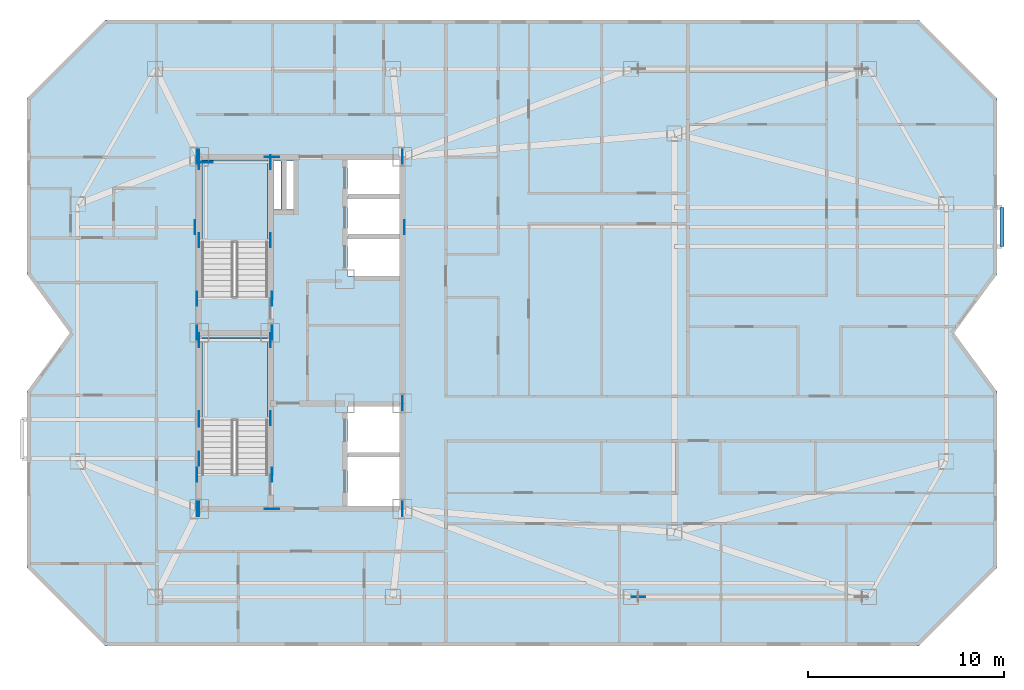
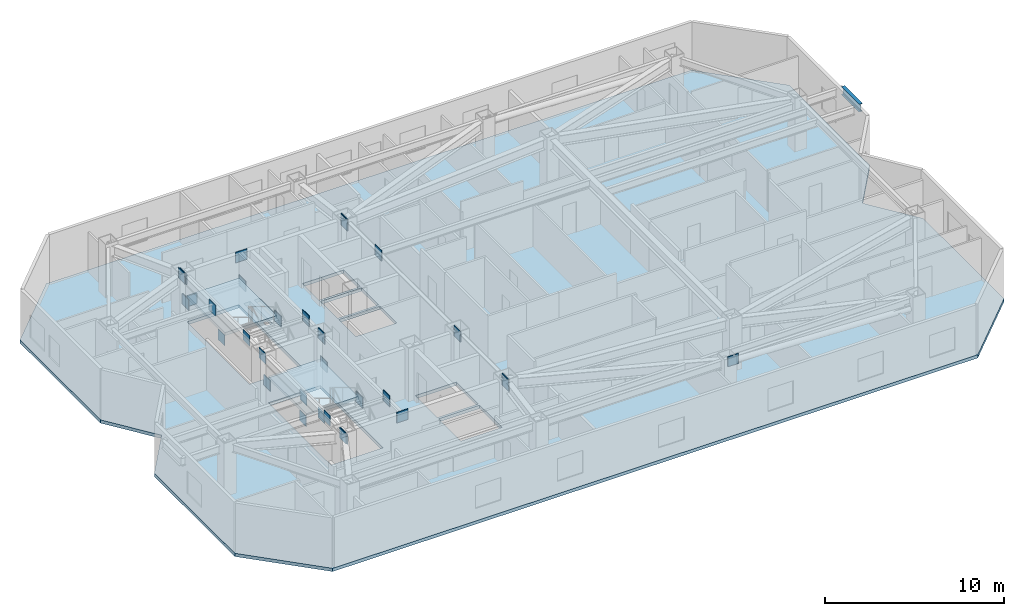
# One storey, part 2 of 10: 31 plates, 3 slabs, 1 beam, 2 elements without a shape of their own.
"""IFC4 building model written with IfcOpenShell, lengths in metres."""

import ifcopenshell
import ifcopenshell.guid

model = None  # the IFC model being written
_history = None  # IfcOwnerHistory: only IFC2X3 demands one
_inside = {}  # id of a spatial element -> (the spatial element, [elements in it])
_under = {}  # id of a project, library or spatial element -> (it, [spatial elements below it])
_declared = {}  # id of a project -> (the project, [libraries it declares])
_typed = {}  # id of a type object -> (the type object, [elements of that type])
_made_of = {}  # id of a material, layer set ... -> (it, [elements and type objects made of it])


def new_model(schema):
    """Start an empty IFC model of exactly this schema.

    Asked for "IFC4X3", IfcOpenShell would pick the latest addendum, in which some entities
    have other attributes; the version numbers below select the first issue.
    IFC2X3 requires an IfcOwnerHistory on every rooted entity: one is made here for all.
    """
    global model, _history
    if schema == "IFC4X3":
        model = ifcopenshell.file(schema_version=(4, 3, 0, 0))
    else:
        model = ifcopenshell.file(schema=schema)
    _inside.clear()
    _under.clear()
    _declared.clear()
    _typed.clear()
    _made_of.clear()
    _history = None
    if model.schema == "IFC2X3":
        org = make("IfcOrganization", Name="unknown")
        user = make(
            "IfcPersonAndOrganization",
            ThePerson=make("IfcPerson", FamilyName="unknown"),
            TheOrganization=org,
        )
        app = make(
            "IfcApplication",
            ApplicationDeveloper=org,
            Version="unknown",
            ApplicationFullName="unknown",
            ApplicationIdentifier="unknown",
        )
        _history = make(
            "IfcOwnerHistory",
            OwningUser=user,
            OwningApplication=app,
            ChangeAction="ADDED",
            CreationDate=0,
        )
    return model


def make(cls, **values):
    """One entity of the class cls with the attributes given. An attribute that is None is left unset."""
    return model.create_entity(
        cls, **{name: value for name, value in values.items() if value is not None}
    )


def rooted(cls, **values):
    """An entity with a GlobalId (a new one), such as an element, a storey or a relation."""
    return make(cls, GlobalId=ifcopenshell.guid.new(), OwnerHistory=_history, **values)


def si_unit(unit_type, name, prefix=None):
    """IfcSIUnit, for example si_unit("LENGTHUNIT", "METRE", prefix="MILLI")."""
    return make("IfcSIUnit", UnitType=unit_type, Prefix=prefix, Name=name)


def assignment(units):
    """IfcUnitAssignment: the units of a project."""
    return None if units is None else make("IfcUnitAssignment", Units=units)


def point(xyz):
    """IfcCartesianPoint."""
    return None if xyz is None else make("IfcCartesianPoint", Coordinates=xyz)


def direction(xyz):
    """IfcDirection."""
    return None if xyz is None else make("IfcDirection", DirectionRatios=xyz)


def frame(location, z_axis=None, x_axis=None):
    """IfcAxis2Placement3D, a coordinate frame: its origin and axes. An axis left out is left unset."""
    return make(
        "IfcAxis2Placement3D",
        Location=point(location),
        Axis=direction(z_axis),
        RefDirection=direction(x_axis),
    )


def frame_2d(location, x_axis=None):
    """IfcAxis2Placement2D, a coordinate frame in the plane: its origin and x axis."""
    return make(
        "IfcAxis2Placement2D", Location=point(location), RefDirection=direction(x_axis)
    )


def origin():
    """The frame at (0, 0, 0) with its axes left unset."""
    return frame((0.0, 0.0, 0.0))


def origin_2d():
    """The frame at (0, 0) in the plane with its x axis left unset."""
    return frame_2d((0.0, 0.0))


def place(relative_to, where):
    """IfcLocalPlacement: puts the frame where relative to a parent placement (None: the world)."""
    return make(
        "IfcLocalPlacement", PlacementRelTo=relative_to, RelativePlacement=where
    )


def context(
    kind, dimensions, precision=None, world=None, true_north=None, identifier=None
):
    """IfcGeometricRepresentationContext, for example the 3D "Model" context."""
    return make(
        "IfcGeometricRepresentationContext",
        ContextIdentifier=identifier,
        ContextType=kind,
        CoordinateSpaceDimension=dimensions,
        Precision=precision,
        WorldCoordinateSystem=world,
        TrueNorth=true_north,
    )


def subcontext(parent, identifier, kind, view, scale=None):
    """IfcGeometricRepresentationSubContext, for example "Body" below "Model"."""
    return make(
        "IfcGeometricRepresentationSubContext",
        ContextIdentifier=identifier,
        ContextType=kind,
        ParentContext=parent,
        TargetScale=scale,
        TargetView=view,
    )


def project(units=None, contexts=None):
    """IfcProject with its units and contexts."""
    return rooted(
        "IfcProject",
        Name="project",
        RepresentationContexts=contexts,
        UnitsInContext=assignment(units),
    )


def spatial(cls, under=None, at=None, **own):
    """A site, building, storey or space (cls), placed at a placement, below another one or the project."""
    s = rooted(cls, ObjectPlacement=at, **own)
    if under is not None:
        _under.setdefault(under.id(), (under, []))[1].append(s)
    return s


def polyline(points):
    """IfcPolyline through the points."""
    return make("IfcPolyline", Points=[point(p) for p in points])


def profile(cls, at=None, kind="AREA", **sizes):
    """A parametric profile (cls). Its sizes go by their IFC names, for example OverallWidth=200.0."""
    return make(cls, ProfileType=kind, Position=at, **sizes)


def rectangle(**sizes):
    """IfcRectangleProfileDef."""
    return profile("IfcRectangleProfileDef", **sizes)


def i_section(**sizes):
    """IfcIShapeProfileDef."""
    return profile("IfcIShapeProfileDef", **sizes)


def outline(outer, holes=None, kind="AREA"):
    """IfcArbitraryClosedProfileDef: a profile drawn as a closed curve; with holes, ...WithVoids."""
    if holes is None:
        return make("IfcArbitraryClosedProfileDef", ProfileType=kind, OuterCurve=outer)
    return make(
        "IfcArbitraryProfileDefWithVoids",
        ProfileType=kind,
        OuterCurve=outer,
        InnerCurves=holes,
    )


def extrude(swept, where, along, depth):
    """IfcExtrudedAreaSolid: the profile swept, set in the frame where, extruded along a direction by depth."""
    return make(
        "IfcExtrudedAreaSolid",
        SweptArea=swept,
        Position=where,
        ExtrudedDirection=direction(along),
        Depth=depth,
    )


def shape(context_of_items, identifier, shape_type, items):
    """IfcShapeRepresentation: the items that make up one representation, for example the "Body"."""
    return make(
        "IfcShapeRepresentation",
        ContextOfItems=context_of_items,
        RepresentationIdentifier=identifier,
        RepresentationType=shape_type,
        Items=items,
    )


def material(Name=None, Category=None):
    """IfcMaterial."""
    return make("IfcMaterial", Name=Name, Category=Category)


def layer(
    of_material, thickness, ventilated=None, Name=None, Category=None, Priority=None
):
    """IfcMaterialLayer: one layer of a wall or slab, of a material (None: an air gap)."""
    return make(
        "IfcMaterialLayer",
        Material=of_material,
        LayerThickness=thickness,
        IsVentilated=ventilated,
        Name=Name,
        Category=Category,
        Priority=Priority,
    )


def layer_set(layers, Name=None):
    """IfcMaterialLayerSet."""
    return make("IfcMaterialLayerSet", MaterialLayers=layers, LayerSetName=Name)


def material_profile(
    of_material, cross_section, Name=None, Category=None, Priority=None
):
    """IfcMaterialProfile: a cross section and its material."""
    return make(
        "IfcMaterialProfile",
        Name=Name,
        Material=of_material,
        Profile=cross_section,
        Priority=Priority,
        Category=Category,
    )


def profile_set(profiles, Name=None, composite=None):
    """IfcMaterialProfileSet."""
    return make(
        "IfcMaterialProfileSet",
        Name=Name,
        MaterialProfiles=profiles,
        CompositeProfile=composite,
    )


def made_of(thing, what):
    """Note that an element or type object is made of a material, layer set ...; save() writes the relation."""
    if what is not None:
        _made_of.setdefault(what.id(), (what, []))[1].append(thing)
    return thing


def type_object(cls, material=None, **own):
    """A type object (cls), such as IfcWallType, which elements share."""
    return made_of(rooted(cls, **own), material)


def element(
    cls,
    number,
    at=None,
    inside=None,
    cuts=None,
    type_object=None,
    material=None,
    context=None,
    identifier="Body",
    shape_type=None,
    held_by="IfcProductDefinitionShape",
    body=None,
    shapes=None,
    **own,
):
    """One element of the class cls, such as IfcWall. Its Tag is "e" and its number.

    at: its placement. inside: the storey or other place that contains it. cuts: it is an
    opening in that element (IfcRelVoidsElement). A single representation is given by context,
    identifier, shape_type and body (its items); several are given by shapes. held_by: the class
    of the entity that holds the representations. save() writes the other relations.
    """
    e = rooted(cls, Tag="e%d" % number, ObjectPlacement=at, **own)
    if body is not None:
        shapes = [shape(context, identifier, shape_type, body)]
    if shapes is not None:
        e.Representation = make(held_by, Representations=shapes)
    if inside is not None:
        _inside.setdefault(inside.id(), (inside, []))[1].append(e)
    if cuts is not None:
        rooted(
            "IfcRelVoidsElement", RelatingBuildingElement=cuts, RelatedOpeningElement=e
        )
    if type_object is not None:
        _typed.setdefault(type_object.id(), (type_object, []))[1].append(e)
    return made_of(e, material)


def aggregate(whole, parts):
    """IfcRelAggregates: a whole, such as a stair, and the parts it consists of."""
    return rooted("IfcRelAggregates", RelatingObject=whole, RelatedObjects=parts)


def save(model, path):
    """Write the relations noted so far, then the file.

    IfcRelAggregates (storeys below a building ...), IfcRelContainedInSpatialStructure (elements
    in a storey), IfcRelDefinesByType, IfcRelAssociatesMaterial and IfcRelDeclares: one each for
    every whole, place, type object, material and project.
    """
    for whole, parts in _under.values():
        aggregate(whole, parts)
    for where, things in _inside.values():
        rooted(
            "IfcRelContainedInSpatialStructure",
            RelatedElements=things,
            RelatingStructure=where,
        )
    for kind, things in _typed.values():
        rooted("IfcRelDefinesByType", RelatedObjects=things, RelatingType=kind)
    for what, things in _made_of.values():
        rooted("IfcRelAssociatesMaterial", RelatedObjects=things, RelatingMaterial=what)
    for by, libraries in _declared.values():
        rooted("IfcRelDeclares", RelatingContext=by, RelatedDefinitions=libraries)
    model.write(path)


model = new_model("IFC4")

# Units and contexts
model_context = context("Model", 3, precision=1e-05, world=origin(), true_north=direction((0.0, 1.0)))
body_context = subcontext(model_context, "Body", "Model", "MODEL_VIEW")
ifc_project = project(units=[si_unit("LENGTHUNIT", "METRE"), si_unit("AREAUNIT", "SQUARE_METRE"), si_unit("VOLUMEUNIT", "CUBIC_METRE"), si_unit("PLANEANGLEUNIT", "RADIAN"), si_unit("MASSUNIT", "GRAM", prefix="KILO")], contexts=[model_context])

# Site, building, storey
site_placement = place(None, origin())
site = spatial("IfcSite", under=ifc_project, at=site_placement, CompositionType="ELEMENT")
building_placement = place(site_placement, origin())
building = spatial("IfcBuilding", under=site, at=building_placement, Name="Khamvora Tower", CompositionType="ELEMENT")
storey_placement = place(building_placement, frame((0.0, 0.0, 246.39990234375)))
storey = spatial("IfcBuildingStorey", under=building, at=storey_placement, Name="L63", CompositionType="ELEMENT", Elevation=246.39990234375)

# Beam
ifc_material_1 = material(Name="Steel S355", Category="steel")
ifc_material_profile = material_profile(ifc_material_1, i_section(OverallWidth=0.208984375, OverallDepth=0.532958984375, WebThickness=0.010009765625, FlangeThickness=0.01611328125, FilletRadius=0.013916015625, at=origin_2d()), Name="W530x92")
ifc_profile_set = profile_set([ifc_material_profile], Name="Steel S355")
beam_type = type_object("IfcBeamType", Name="BM-SP-W530x92", PredefinedType="SPANDREL", material=ifc_profile_set)
beam_placement = place(storey_placement, frame((70.050048828125, 32.425048828125, 2.963134765625), z_axis=(0.0, 1.0, 0.0), x_axis=(-1.0, 0.0, 0.0)))
element("IfcBeam", 1, at=beam_placement, inside=storey, type_object=beam_type, Name="L63 external gallery edge header beam L64-EL2", PredefinedType="SPANDREL", context=body_context, shape_type="SweptSolid", body=[
    extrude(i_section(OverallWidth=0.208984375, OverallDepth=0.532958984375, WebThickness=0.010009765625, FlangeThickness=0.01611328125, FilletRadius=0.013916015625, at=origin_2d()), origin(), (0.0, 0.0, 1.0), 2.0),
])

# Plates
ifc_material_2 = material(Name="Steel S460", Category="steel")
ifc_layer_1 = layer(ifc_material_2, 0.034912109375)
ifc_layer_set_1 = layer_set([ifc_layer_1], Name="Steel S460")
plate_type_1 = type_object("IfcPlateType", Name="PL-EMB-35", PredefinedType="SHEET", material=ifc_layer_set_1)
for number, where, z_axis, x_axis, name in (
    (2, (29.0, 23.635009765625, 1.13427734375), (0.0, 0.0, 1.0), (1.0, 0.0, 0.0), "L63 core shear wall cast-in embed plate 1830"),
    (3, (32.64990234375, 23.635009765625, 1.13427734375), (0.0, 0.0, 1.0), (1.0, 0.0, 0.0), "L63 core shear wall cast-in embed plate 1831"),
    (4, (29.0, 27.6298828125, 1.13427734375), (0.0, 0.0, 1.0), (1.0, 0.0, 0.0), "L63 core shear wall cast-in embed plate 1832"),
    (5, (32.64990234375, 27.6298828125, 1.13427734375), (0.0, 0.0, 1.0), (1.0, 0.0, 0.0), "L63 core shear wall cast-in embed plate 1833"),
    (6, (29.0, 32.735107421875, 1.13427734375), (0.0, 0.0, 1.0), (1.0, 0.0, 0.0), "L63 core shear wall cast-in embed plate 1834"),
    (7, (32.64990234375, 32.735107421875, 1.13427734375), (0.0, 0.0, 1.0), (1.0, 0.0, 0.0), "L63 core shear wall cast-in embed plate 1835"),
    (8, (29.0, 36.72998046875, 1.13427734375), (0.0, 0.0, 1.0), (1.0, 0.0, 0.0), "L63 core shear wall cast-in embed plate 1836"),
    (9, (32.64990234375, 36.72998046875, 1.13427734375), (0.0, 0.0, 1.0), (1.0, 0.0, 0.0), "L63 core shear wall cast-in embed plate 1837"),
):
    element("IfcPlate", number, at=place(storey_placement, frame(where, z_axis=z_axis, x_axis=x_axis)), inside=storey, type_object=plate_type_1, Name=name, PredefinedType="SHEET", context=body_context, shape_type="SweptSolid", body=[
        extrude(rectangle(XDim=0.034912109375, YDim=0.719970703125, at=origin_2d()), origin(), (0.0, 0.0, 1.0), 0.719970703125),
    ])
plate_1_placement = place(storey_placement, frame((29.35009765625, 36.72998046875, 1.13427734375), z_axis=(0.0, 0.0, 1.0), x_axis=(1.0, 0.0, 0.0)))
element("IfcPlate", 10, at=plate_1_placement, inside=storey, type_object=plate_type_1, Name="L63 core shear wall cast-in embed plate 1838", PredefinedType="SHEET", context=body_context, shape_type="SweptSolid", body=[
    extrude(rectangle(XDim=0.719970703125, YDim=0.034912109375, at=origin_2d()), origin(), (0.0, 0.0, 1.0), 0.719970703125),
])
for number, where, z_axis, x_axis, name in (
    (11, (29.0, 19.0, 2.72314453125), (0.0, 0.0, 1.0), (1.0, 0.0, 0.0), "L63 core shear wall cast-in embed plate 1839"),
    (12, (39.39990234375, 19.0, 2.72314453125), (0.0, 0.0, 1.0), (1.0, 0.0, 0.0), "L63 core shear wall cast-in embed plate 1840"),
    (13, (29.0, 37.0, 2.72314453125), (0.0, 0.0, 1.0), (1.0, 0.0, 0.0), "L63 core shear wall cast-in embed plate 1841"),
    (14, (39.39990234375, 37.0, 2.72314453125), (0.0, 0.0, 1.0), (1.0, 0.0, 0.0), "L63 core shear wall cast-in embed plate 1842"),
    (15, (28.89990234375, 19.0, 2.80419921875), (0.0, 0.0, 1.0), (1.0, 0.0, 0.0), "L63 core shear wall cast-in embed plate 1843"),
    (16, (28.89990234375, 28.0, 2.80419921875), (0.0, 0.0, 1.0), (1.0, 0.0, 0.0), "L63 core shear wall cast-in embed plate 1844"),
    (17, (28.89990234375, 37.0, 2.80419921875), (0.0, 0.0, 1.0), (1.0, 0.0, 0.0), "L63 core shear wall cast-in embed plate 1845"),
):
    element("IfcPlate", number, at=place(storey_placement, frame(where, z_axis=z_axis, x_axis=x_axis)), inside=storey, type_object=plate_type_1, Name=name, PredefinedType="SHEET", context=body_context, shape_type="SweptSolid", body=[
        extrude(rectangle(XDim=0.034912109375, YDim=0.719970703125, at=origin_2d()), origin(), (0.0, 0.0, 1.0), 0.719970703125),
    ])
plate_2_placement = place(storey_placement, frame((32.72998046875, 19.0, 2.80419921875), z_axis=(0.0, 0.0, 1.0), x_axis=(1.0, 0.0, 0.0)))
element("IfcPlate", 18, at=plate_2_placement, inside=storey, type_object=plate_type_1, Name="L63 core shear wall cast-in embed plate 1846", PredefinedType="SHEET", context=body_context, shape_type="SweptSolid", body=[
    extrude(rectangle(XDim=0.719970703125, YDim=0.034912109375, at=origin_2d()), origin(), (0.0, 0.0, 1.0), 0.719970703125),
])
plate_3_placement = place(storey_placement, frame((32.72998046875, 28.0, 2.80419921875), z_axis=(0.0, 0.0, 1.0), x_axis=(1.0, 0.0, 0.0)))
element("IfcPlate", 19, at=plate_3_placement, inside=storey, type_object=plate_type_1, Name="L63 core shear wall cast-in embed plate 1847", PredefinedType="SHEET", context=body_context, shape_type="SweptSolid", body=[
    extrude(rectangle(XDim=0.034912109375, YDim=0.719970703125, at=origin_2d()), origin(), (0.0, 0.0, 1.0), 0.719970703125),
])
plate_4_placement = place(storey_placement, frame((32.72998046875, 37.0, 2.80419921875), z_axis=(0.0, 0.0, 1.0), x_axis=(1.0, 0.0, 0.0)))
element("IfcPlate", 20, at=plate_4_placement, inside=storey, type_object=plate_type_1, Name="L63 core shear wall cast-in embed plate 1848", PredefinedType="SHEET", context=body_context, shape_type="SweptSolid", body=[
    extrude(rectangle(XDim=0.719970703125, YDim=0.034912109375, at=origin_2d()), origin(), (0.0, 0.0, 1.0), 0.719970703125),
])
for number, where, z_axis, x_axis, name in (
    (21, (39.39990234375, 19.0, 2.80419921875), (0.0, 0.0, 1.0), (1.0, 0.0, 0.0), "L63 core shear wall cast-in embed plate 1849"),
    (22, (39.39990234375, 24.39990234375, 2.80419921875), (0.0, 0.0, 1.0), (1.0, 0.0, 0.0), "L63 core shear wall cast-in embed plate 1850"),
    (23, (39.39990234375, 37.0, 2.80419921875), (0.0, 0.0, 1.0), (1.0, 0.0, 0.0), "L63 core shear wall cast-in embed plate 1851"),
    (24, (28.89990234375, 20.75, 2.9443359375), (0.0, 0.0, 1.0), (1.0, 0.0, 0.0), "L63 core shear wall cast-in embed plate 1852"),
    (25, (32.72998046875, 20.75, 2.9443359375), (0.0, 0.0, 1.0), (1.0, 0.0, 0.0), "L63 core shear wall cast-in embed plate 1853"),
    (26, (28.89990234375, 29.75, 2.9443359375), (0.0, 0.0, 1.0), (1.0, 0.0, 0.0), "L63 core shear wall cast-in embed plate 1854"),
    (27, (32.72998046875, 29.75, 2.9443359375), (0.0, 0.0, 1.0), (1.0, 0.0, 0.0), "L63 core shear wall cast-in embed plate 1855"),
    (28, (29.0, 21.574951171875, 2.60302734375), (0.0, 0.0, 1.0), (1.0, 0.0, 0.0), "L63 core shear wall cast-in embed plate 1856"),
    (29, (29.0, 23.574951171875, 2.60302734375), (0.0, 0.0, 1.0), (1.0, 0.0, 0.0), "L63 core shear wall cast-in embed plate 1857"),
    (30, (28.800048828125, 33.39990234375, 2.83935546875), (0.0, 0.0, 1.0), (1.0, 0.0, 0.0), "L63 core shear wall cast-in embed plate 1858"),
    (31, (39.4990234375, 33.39990234375, 2.83935546875), (0.0, 0.0, 1.0), (1.0, 0.0, 0.0), "L63 core shear wall cast-in embed plate 1859"),
):
    element("IfcPlate", number, at=place(storey_placement, frame(where, z_axis=z_axis, x_axis=x_axis)), inside=storey, type_object=plate_type_1, Name=name, PredefinedType="SHEET", context=body_context, shape_type="SweptSolid", body=[
        extrude(rectangle(XDim=0.034912109375, YDim=0.719970703125, at=origin_2d()), origin(), (0.0, 0.0, 1.0), 0.719970703125),
    ])
ifc_layer_2 = layer(ifc_material_2, 0.0400390625)
ifc_layer_set_2 = layer_set([ifc_layer_2], Name="Steel S460")
plate_type_2 = type_object("IfcPlateType", Name="PLT-GUS-40", PredefinedType="SHEET", material=ifc_layer_set_2)
plate_5_placement = place(storey_placement, frame((51.462890625, 14.5, 2.80908203125), z_axis=(0.0, 0.0, 1.0), x_axis=(1.0, 0.0, 0.0)))
element("IfcPlate", 32, at=plate_5_placement, inside=storey, type_object=plate_type_2, Name="L63 brace connection node gusset plate 0406", PredefinedType="SHEET", context=body_context, shape_type="SweptSolid", body=[
    extrude(rectangle(XDim=0.679931640625, YDim=0.0400390625, at=origin_2d()), origin(), (0.0, 0.0, 1.0), 0.679931640625),
])

# Stair, slab
ifc_material_3 = material(Name="Concrete C40/50", Category="concrete")
stair_type_1 = type_object("IfcStairType", Name="STR-ST-01", PredefinedType="HALF_TURN_STAIR", material=ifc_material_3)
stair_1_placement = place(storey_placement, origin())
stair_1 = element("IfcStair", 33, at=stair_1_placement, inside=storey, type_object=stair_type_1, Name="L63 South Tower Exit Stair ST-01", PredefinedType="HALF_TURN_STAIR")
ifc_layer_3 = layer(ifc_material_3, 0.199951171875)
ifc_layer_set_3 = layer_set([ifc_layer_3], Name="Concrete C40/50")
slab_type_1 = type_object("IfcSlabType", Name="SLB-LND-200", PredefinedType="LANDING", material=ifc_layer_set_3)
slab_1_placement = place(storey_placement, frame((0.0, 0.0, 1.625)))
slab_1 = element("IfcSlab", 34, at=slab_1_placement, type_object=slab_type_1, Name="ST-01 landing 1", PredefinedType="LANDING", context=body_context, shape_type="SweptSolid", body=[
    extrude(outline(polyline([(32.5, 23.514892578125), (32.5, 27.75), (29.14990234375, 27.75), (29.14990234375, 23.514892578125), (32.5, 23.514892578125)])), origin(), (0.0, 0.0, 1.0), 0.2001953125),
])
aggregate(stair_1, [slab_1])

stair_type_2 = type_object("IfcStairType", Name="STR-ST-02", PredefinedType="HALF_TURN_STAIR", material=ifc_material_3)
stair_2_placement = place(storey_placement, origin())
stair_2 = element("IfcStair", 35, at=stair_2_placement, inside=storey, type_object=stair_type_2, Name="L63 North Tower Exit Stair ST-02", PredefinedType="HALF_TURN_STAIR")
slab_2_placement = place(storey_placement, frame((0.0, 0.0, 1.625)))
slab_2 = element("IfcSlab", 36, at=slab_2_placement, type_object=slab_type_1, Name="ST-02 landing 1", PredefinedType="LANDING", context=body_context, shape_type="SweptSolid", body=[
    extrude(outline(polyline([(32.5, 32.614990234375), (32.5, 36.85009765625), (29.14990234375, 36.85009765625), (29.14990234375, 32.614990234375), (32.5, 32.614990234375)])), origin(), (0.0, 0.0, 1.0), 0.2001953125),
])
aggregate(stair_2, [slab_2])

# Slab
ifc_material_4 = material(Name="Concrete C35/45", Category="concrete")
ifc_layer_4 = layer(ifc_material_4, 0.219970703125)
ifc_layer_set_4 = layer_set([ifc_layer_4], Name="Concrete C35/45")
slab_type_2 = type_object("IfcSlabType", Name="SLB-TYP-220", PredefinedType="FLOOR", material=ifc_layer_set_4)
slab_3_placement = place(storey_placement, frame((0.0, 0.0, -0.219970703125)))
element("IfcSlab", 37, at=slab_3_placement, inside=storey, type_object=slab_type_2, Name="L63 structural floor slab", PredefinedType="FLOOR", context=body_context, shape_type="SweptSolid", body=[
    extrude(outline(polyline([(24.199951171875, 12.0), (65.800048828125, 12.0), (69.800048828125, 16.0), (69.800048828125, 25.0), (67.60009765625, 28.0), (69.800048828125, 31.0), (69.800048828125, 40.0), (65.800048828125, 44.0), (24.199951171875, 44.0), (20.199951171875, 40.0), (20.199951171875, 31.0), (22.39990234375, 28.0), (20.199951171875, 25.0), (20.199951171875, 16.0), (24.199951171875, 12.0)]), holes=[polyline([(32.5, 20.760009765625), (32.5, 27.75), (29.14990234375, 27.75), (29.14990234375, 20.760009765625), (32.5, 20.760009765625)]), polyline([(32.5, 29.860107421875), (32.5, 36.85009765625), (29.14990234375, 36.85009765625), (29.14990234375, 29.860107421875), (32.5, 29.860107421875)]), polyline([(36.60009765625, 19.14990234375), (39.25, 19.14990234375), (39.25, 21.64990234375), (36.60009765625, 21.64990234375), (36.60009765625, 19.14990234375)]), polyline([(36.60009765625, 21.800048828125), (39.25, 21.800048828125), (39.25, 24.25), (36.60009765625, 24.25), (36.60009765625, 21.800048828125)]), polyline([(36.60009765625, 30.89990234375), (39.25, 30.89990234375), (39.25, 32.800048828125), (36.60009765625, 32.800048828125), (36.60009765625, 30.89990234375)]), polyline([(36.60009765625, 32.949951171875), (39.25, 32.949951171875), (39.25, 34.85009765625), (36.60009765625, 34.85009765625), (36.60009765625, 32.949951171875)]), polyline([(36.60009765625, 35.0), (39.25, 35.0), (39.25, 36.85009765625), (36.60009765625, 36.85009765625), (36.60009765625, 35.0)]), polyline([(32.800048828125, 34.300048828125), (33.199951171875, 34.300048828125), (33.199951171875, 36.800048828125), (32.800048828125, 36.800048828125), (32.800048828125, 34.300048828125)]), polyline([(33.47998046875, 34.300048828125), (33.820068359375, 34.300048828125), (33.820068359375, 36.800048828125), (33.47998046875, 36.800048828125), (33.47998046875, 34.300048828125)])]), origin(), (0.0, 0.0, 1.0), 0.219970703125),
])

save(model, "model.ifc")
